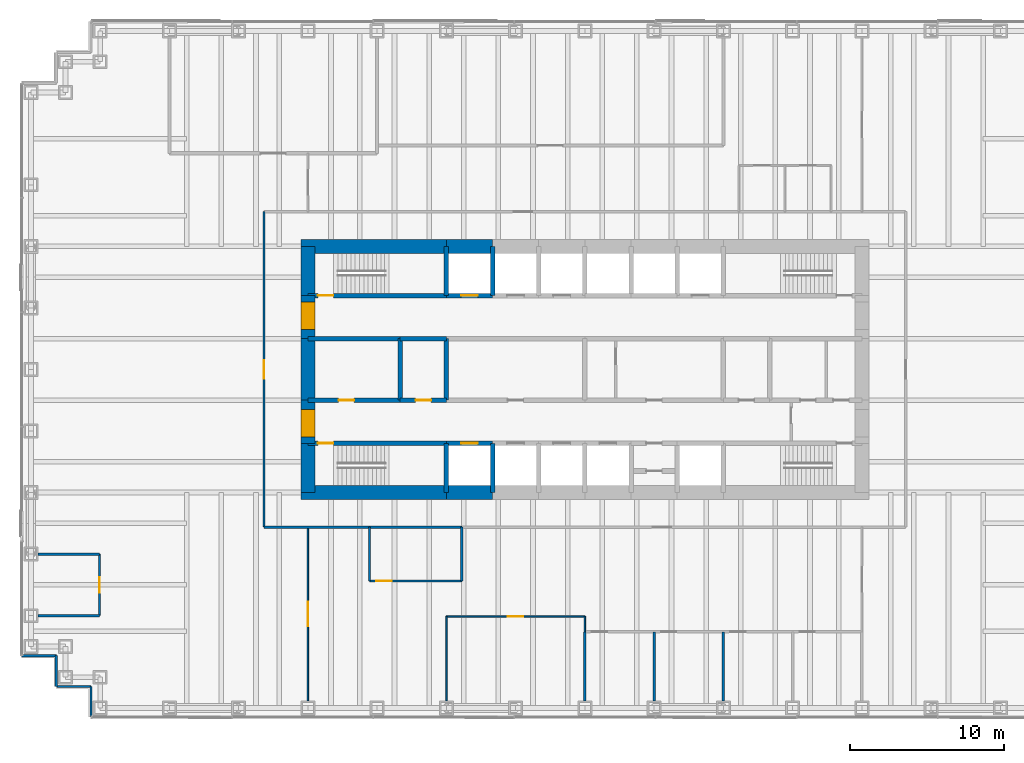
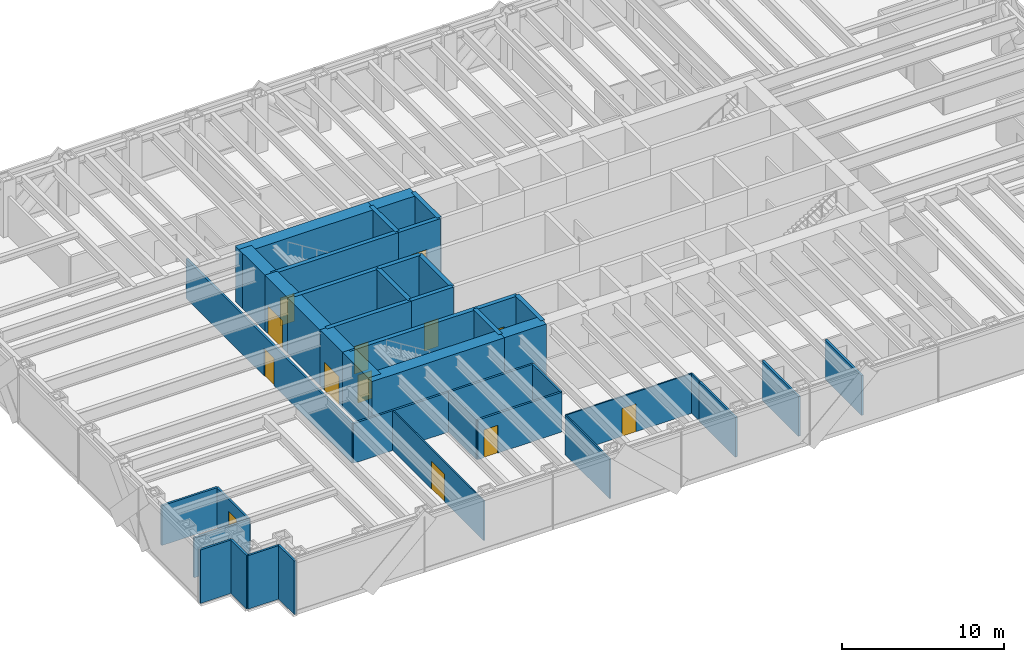
# One storey, part 13 of 17: 43 walls, 13 doors, 13 openings.
"""IFC4 building model written with IfcOpenShell, lengths in metres."""

import ifcopenshell
import ifcopenshell.guid

model = None  # the IFC model being written
_history = None  # IfcOwnerHistory: only IFC2X3 demands one
_inside = {}  # id of a spatial element -> (the spatial element, [elements in it])
_under = {}  # id of a project, library or spatial element -> (it, [spatial elements below it])
_declared = {}  # id of a project -> (the project, [libraries it declares])
_typed = {}  # id of a type object -> (the type object, [elements of that type])
_made_of = {}  # id of a material, layer set ... -> (it, [elements and type objects made of it])


def new_model(schema):
    """Start an empty IFC model of exactly this schema.

    Asked for "IFC4X3", IfcOpenShell would pick the latest addendum, in which some entities
    have other attributes; the version numbers below select the first issue.
    IFC2X3 requires an IfcOwnerHistory on every rooted entity: one is made here for all.
    """
    global model, _history
    if schema == "IFC4X3":
        model = ifcopenshell.file(schema_version=(4, 3, 0, 0))
    else:
        model = ifcopenshell.file(schema=schema)
    _inside.clear()
    _under.clear()
    _declared.clear()
    _typed.clear()
    _made_of.clear()
    _history = None
    if model.schema == "IFC2X3":
        org = make("IfcOrganization", Name="unknown")
        user = make(
            "IfcPersonAndOrganization",
            ThePerson=make("IfcPerson", FamilyName="unknown"),
            TheOrganization=org,
        )
        app = make(
            "IfcApplication",
            ApplicationDeveloper=org,
            Version="unknown",
            ApplicationFullName="unknown",
            ApplicationIdentifier="unknown",
        )
        _history = make(
            "IfcOwnerHistory",
            OwningUser=user,
            OwningApplication=app,
            ChangeAction="ADDED",
            CreationDate=0,
        )
    return model


def make(cls, **values):
    """One entity of the class cls with the attributes given. An attribute that is None is left unset."""
    return model.create_entity(
        cls, **{name: value for name, value in values.items() if value is not None}
    )


def rooted(cls, **values):
    """An entity with a GlobalId (a new one), such as an element, a storey or a relation."""
    return make(cls, GlobalId=ifcopenshell.guid.new(), OwnerHistory=_history, **values)


def si_unit(unit_type, name, prefix=None):
    """IfcSIUnit, for example si_unit("LENGTHUNIT", "METRE", prefix="MILLI")."""
    return make("IfcSIUnit", UnitType=unit_type, Prefix=prefix, Name=name)


def assignment(units):
    """IfcUnitAssignment: the units of a project."""
    return None if units is None else make("IfcUnitAssignment", Units=units)


def point(xyz):
    """IfcCartesianPoint."""
    return None if xyz is None else make("IfcCartesianPoint", Coordinates=xyz)


def direction(xyz):
    """IfcDirection."""
    return None if xyz is None else make("IfcDirection", DirectionRatios=xyz)


def frame(location, z_axis=None, x_axis=None):
    """IfcAxis2Placement3D, a coordinate frame: its origin and axes. An axis left out is left unset."""
    return make(
        "IfcAxis2Placement3D",
        Location=point(location),
        Axis=direction(z_axis),
        RefDirection=direction(x_axis),
    )


def frame_2d(location, x_axis=None):
    """IfcAxis2Placement2D, a coordinate frame in the plane: its origin and x axis."""
    return make(
        "IfcAxis2Placement2D", Location=point(location), RefDirection=direction(x_axis)
    )


def origin():
    """The frame at (0, 0, 0) with its axes left unset."""
    return frame((0.0, 0.0, 0.0))


def place(relative_to, where):
    """IfcLocalPlacement: puts the frame where relative to a parent placement (None: the world)."""
    return make(
        "IfcLocalPlacement", PlacementRelTo=relative_to, RelativePlacement=where
    )


def context(
    kind, dimensions, precision=None, world=None, true_north=None, identifier=None
):
    """IfcGeometricRepresentationContext, for example the 3D "Model" context."""
    return make(
        "IfcGeometricRepresentationContext",
        ContextIdentifier=identifier,
        ContextType=kind,
        CoordinateSpaceDimension=dimensions,
        Precision=precision,
        WorldCoordinateSystem=world,
        TrueNorth=true_north,
    )


def subcontext(parent, identifier, kind, view, scale=None):
    """IfcGeometricRepresentationSubContext, for example "Body" below "Model"."""
    return make(
        "IfcGeometricRepresentationSubContext",
        ContextIdentifier=identifier,
        ContextType=kind,
        ParentContext=parent,
        TargetScale=scale,
        TargetView=view,
    )


def project(units=None, contexts=None):
    """IfcProject with its units and contexts."""
    return rooted(
        "IfcProject",
        Name="project",
        RepresentationContexts=contexts,
        UnitsInContext=assignment(units),
    )


def spatial(cls, under=None, at=None, **own):
    """A site, building, storey or space (cls), placed at a placement, below another one or the project."""
    s = rooted(cls, ObjectPlacement=at, **own)
    if under is not None:
        _under.setdefault(under.id(), (under, []))[1].append(s)
    return s


def profile(cls, at=None, kind="AREA", **sizes):
    """A parametric profile (cls). Its sizes go by their IFC names, for example OverallWidth=200.0."""
    return make(cls, ProfileType=kind, Position=at, **sizes)


def rectangle(**sizes):
    """IfcRectangleProfileDef."""
    return profile("IfcRectangleProfileDef", **sizes)


def extrude(swept, where, along, depth):
    """IfcExtrudedAreaSolid: the profile swept, set in the frame where, extruded along a direction by depth."""
    return make(
        "IfcExtrudedAreaSolid",
        SweptArea=swept,
        Position=where,
        ExtrudedDirection=direction(along),
        Depth=depth,
    )


def shape(context_of_items, identifier, shape_type, items):
    """IfcShapeRepresentation: the items that make up one representation, for example the "Body"."""
    return make(
        "IfcShapeRepresentation",
        ContextOfItems=context_of_items,
        RepresentationIdentifier=identifier,
        RepresentationType=shape_type,
        Items=items,
    )


def material(Name=None, Category=None):
    """IfcMaterial."""
    return make("IfcMaterial", Name=Name, Category=Category)


def layer(
    of_material, thickness, ventilated=None, Name=None, Category=None, Priority=None
):
    """IfcMaterialLayer: one layer of a wall or slab, of a material (None: an air gap)."""
    return make(
        "IfcMaterialLayer",
        Material=of_material,
        LayerThickness=thickness,
        IsVentilated=ventilated,
        Name=Name,
        Category=Category,
        Priority=Priority,
    )


def layer_set(layers, Name=None):
    """IfcMaterialLayerSet."""
    return make("IfcMaterialLayerSet", MaterialLayers=layers, LayerSetName=Name)


def made_of(thing, what):
    """Note that an element or type object is made of a material, layer set ...; save() writes the relation."""
    if what is not None:
        _made_of.setdefault(what.id(), (what, []))[1].append(thing)
    return thing


def type_object(cls, material=None, **own):
    """A type object (cls), such as IfcWallType, which elements share."""
    return made_of(rooted(cls, **own), material)


def element(
    cls,
    number,
    at=None,
    inside=None,
    cuts=None,
    type_object=None,
    material=None,
    context=None,
    identifier="Body",
    shape_type=None,
    held_by="IfcProductDefinitionShape",
    body=None,
    shapes=None,
    **own,
):
    """One element of the class cls, such as IfcWall. Its Tag is "e" and its number.

    at: its placement. inside: the storey or other place that contains it. cuts: it is an
    opening in that element (IfcRelVoidsElement). A single representation is given by context,
    identifier, shape_type and body (its items); several are given by shapes. held_by: the class
    of the entity that holds the representations. save() writes the other relations.
    """
    e = rooted(cls, Tag="e%d" % number, ObjectPlacement=at, **own)
    if body is not None:
        shapes = [shape(context, identifier, shape_type, body)]
    if shapes is not None:
        e.Representation = make(held_by, Representations=shapes)
    if inside is not None:
        _inside.setdefault(inside.id(), (inside, []))[1].append(e)
    if cuts is not None:
        rooted(
            "IfcRelVoidsElement", RelatingBuildingElement=cuts, RelatedOpeningElement=e
        )
    if type_object is not None:
        _typed.setdefault(type_object.id(), (type_object, []))[1].append(e)
    return made_of(e, material)


def fill(opening, filler):
    """IfcRelFillsElement: the door or window that sits in an opening."""
    return rooted(
        "IfcRelFillsElement",
        RelatingOpeningElement=opening,
        RelatedBuildingElement=filler,
    )


def aggregate(whole, parts):
    """IfcRelAggregates: a whole, such as a stair, and the parts it consists of."""
    return rooted("IfcRelAggregates", RelatingObject=whole, RelatedObjects=parts)


def save(model, path):
    """Write the relations noted so far, then the file.

    IfcRelAggregates (storeys below a building ...), IfcRelContainedInSpatialStructure (elements
    in a storey), IfcRelDefinesByType, IfcRelAssociatesMaterial and IfcRelDeclares: one each for
    every whole, place, type object, material and project.
    """
    for whole, parts in _under.values():
        aggregate(whole, parts)
    for where, things in _inside.values():
        rooted(
            "IfcRelContainedInSpatialStructure",
            RelatedElements=things,
            RelatingStructure=where,
        )
    for kind, things in _typed.values():
        rooted("IfcRelDefinesByType", RelatedObjects=things, RelatingType=kind)
    for what, things in _made_of.values():
        rooted("IfcRelAssociatesMaterial", RelatedObjects=things, RelatingMaterial=what)
    for by, libraries in _declared.values():
        rooted("IfcRelDeclares", RelatingContext=by, RelatedDefinitions=libraries)
    model.write(path)


model = new_model("IFC4")

# Units and contexts
model_context = context("Model", 3, precision=1e-05, world=origin(), true_north=direction((0.0, 1.0)))
body_context = subcontext(model_context, "Body", "Model", "MODEL_VIEW")
ifc_project = project(units=[si_unit("LENGTHUNIT", "METRE"), si_unit("AREAUNIT", "SQUARE_METRE"), si_unit("VOLUMEUNIT", "CUBIC_METRE"), si_unit("PLANEANGLEUNIT", "RADIAN"), si_unit("MASSUNIT", "GRAM", prefix="KILO")], contexts=[model_context])

# Site, building, storey
site_placement = place(None, origin())
site = spatial("IfcSite", under=ifc_project, at=site_placement, CompositionType="ELEMENT")
building_placement = place(site_placement, origin())
building = spatial("IfcBuilding", under=site, at=building_placement, Name="Rheinbord Bourse Tower", CompositionType="ELEMENT")
storey_placement = place(building_placement, frame((0.0, 0.0, 129.89990234375)))
storey = spatial("IfcBuildingStorey", under=building, at=storey_placement, Name="L28", CompositionType="ELEMENT", Elevation=129.89990234375)

# Wall, opening, door
ifc_material_1 = material(Name="Concrete C50/60", Category="concrete")
ifc_layer_1 = layer(ifc_material_1, 0.300048828125)
ifc_layer_set_1 = layer_set([ifc_layer_1], Name="CORE INNER WALL 300")
wall_type_1 = type_object("IfcWallType", Name="CORE INNER WALL 300", PredefinedType="SOLIDWALL", material=ifc_layer_set_1)
wall_1_placement = place(storey_placement, frame((18.0, 19.199951171875, 0.0), z_axis=(0.0, 0.0, 1.0), x_axis=(1.0, 0.0, 0.0)))
wall_1 = element("IfcWall", 1, at=wall_1_placement, inside=storey, type_object=wall_type_1, Name="Core wall A1 L28", PredefinedType="SOLIDWALL", context=body_context, shape_type="SweptSolid", body=[
    extrude(rectangle(XDim=9.0, YDim=0.300048828125, at=frame_2d((4.5, 0.0))), origin(), (0.0, 0.0, 1.0), 4.2001953125),
])
opening_1_placement = place(wall_1_placement, frame((0.64990234375, 0.0, 0.0)))
opening_1 = element("IfcOpeningElement", 2, at=opening_1_placement, cuts=wall_1, Name="Opening 2810", PredefinedType="OPENING", context=body_context, shape_type="SweptSolid", body=[
    extrude(rectangle(XDim=1.0, YDim=2.10009765625, at=frame_2d((0.5, 1.050048828125))), frame((0.0, 0.159912109375, 0.0), z_axis=(0.0, -1.0, 0.0), x_axis=(1.0, 0.0, 0.0)), (0.0, 0.0, 1.0), 0.320068359375),
])
ifc_material_2 = material(Name="Steel door", Category="steel")
door_type_1 = type_object("IfcDoorType", Name="DOOR 1000 EI30", OperationType="SINGLE_SWING_LEFT", PredefinedType="DOOR", material=ifc_material_2)
door_1_placement = place(opening_1_placement, origin())
door_1 = element("IfcDoor", 3, at=door_1_placement, inside=storey, type_object=door_type_1, Name="Stair door ST1 L28", OperationType="SINGLE_SWING_LEFT", OverallHeight=2.10009765625, OverallWidth=1.0, PredefinedType="DOOR", context=body_context, shape_type="SweptSolid", body=[
    extrude(rectangle(XDim=1.0, YDim=2.10009765625, at=frame_2d((0.5, 1.050048828125))), frame((0.0, 0.02490234375, 0.0), z_axis=(0.0, -1.0, 0.0), x_axis=(1.0, 0.0, 0.0)), (0.0, 0.0, 1.0), 0.050048828125),
])
fill(opening_1, door_1)

wall_2_placement = place(storey_placement, frame((27.0, 19.199951171875, 0.0), z_axis=(0.0, 0.0, 1.0), x_axis=(1.0, 0.0, 0.0)))
wall_2 = element("IfcWall", 4, at=wall_2_placement, inside=storey, type_object=wall_type_1, Name="Core wall A2 L28", PredefinedType="SOLIDWALL", context=body_context, shape_type="SweptSolid", body=[
    extrude(rectangle(XDim=3.0, YDim=0.300048828125, at=frame_2d((1.5, 0.0))), origin(), (0.0, 0.0, 1.0), 4.2001953125),
])
opening_2_placement = place(wall_2_placement, frame((0.949951171875, 0.0, 0.0)))
opening_2 = element("IfcOpeningElement", 5, at=opening_2_placement, cuts=wall_2, Name="Opening FL1", PredefinedType="OPENING", context=body_context, shape_type="SweptSolid", body=[
    extrude(rectangle(XDim=1.10009765625, YDim=2.199951171875, at=frame_2d((0.550048828125, 1.10009765625))), frame((0.0, 0.159912109375, 0.0), z_axis=(0.0, -1.0, 0.0), x_axis=(1.0, 0.0, 0.0)), (0.0, 0.0, 1.0), 0.320068359375),
])
ifc_material_3 = material(Name="Steel landing door", Category="steel")
door_type_2 = type_object("IfcDoorType", Name="LIFT LANDING DOOR 1100", OperationType="DOUBLE_DOOR_SLIDING", PredefinedType="USERDEFINED", material=ifc_material_3)
door_2_placement = place(opening_2_placement, origin())
door_2 = element("IfcDoor", 6, at=door_2_placement, inside=storey, type_object=door_type_2, Name="Lift landing door FL1 L28", ObjectType="LIFT LANDING DOOR", OperationType="DOUBLE_DOOR_SLIDING", OverallHeight=2.199951171875, OverallWidth=1.10009765625, PredefinedType="USERDEFINED", context=body_context, shape_type="SweptSolid", body=[
    extrude(rectangle(XDim=1.10009765625, YDim=2.199951171875, at=frame_2d((0.550048828125, 1.10009765625))), frame((0.0, 0.02490234375, 0.0), z_axis=(0.0, -1.0, 0.0), x_axis=(1.0, 0.0, 0.0)), (0.0, 0.0, 1.0), 0.050048828125),
])
fill(opening_2, door_2)

wall_3_placement = place(storey_placement, frame((18.0, 28.800048828125, 0.0), z_axis=(0.0, 0.0, 1.0), x_axis=(1.0, 0.0, 0.0)))
wall_3 = element("IfcWall", 7, at=wall_3_placement, inside=storey, type_object=wall_type_1, Name="Core wall B1 L28", PredefinedType="SOLIDWALL", context=body_context, shape_type="SweptSolid", body=[
    extrude(rectangle(XDim=9.0, YDim=0.300048828125, at=frame_2d((4.5, 0.0))), origin(), (0.0, 0.0, 1.0), 4.2001953125),
])
opening_3_placement = place(wall_3_placement, frame((0.64990234375, 0.0, 0.0)))
opening_3 = element("IfcOpeningElement", 8, at=opening_3_placement, cuts=wall_3, Name="Opening 2820", PredefinedType="OPENING", context=body_context, shape_type="SweptSolid", body=[
    extrude(rectangle(XDim=1.0, YDim=2.10009765625, at=frame_2d((0.5, 1.050048828125))), frame((0.0, 0.159912109375, 0.0), z_axis=(0.0, -1.0, 0.0), x_axis=(1.0, 0.0, 0.0)), (0.0, 0.0, 1.0), 0.320068359375),
])
door_3_placement = place(opening_3_placement, origin())
door_3 = element("IfcDoor", 9, at=door_3_placement, inside=storey, type_object=door_type_1, Name="Stair door ST2 L28", OperationType="SINGLE_SWING_LEFT", OverallHeight=2.10009765625, OverallWidth=1.0, PredefinedType="DOOR", context=body_context, shape_type="SweptSolid", body=[
    extrude(rectangle(XDim=1.0, YDim=2.10009765625, at=frame_2d((0.5, 1.050048828125))), frame((0.0, 0.02490234375, 0.0), z_axis=(0.0, -1.0, 0.0), x_axis=(1.0, 0.0, 0.0)), (0.0, 0.0, 1.0), 0.050048828125),
])
fill(opening_3, door_3)

wall_4_placement = place(storey_placement, frame((27.0, 28.800048828125, 0.0), z_axis=(0.0, 0.0, 1.0), x_axis=(1.0, 0.0, 0.0)))
wall_4 = element("IfcWall", 10, at=wall_4_placement, inside=storey, type_object=wall_type_1, Name="Core wall B2 L28", PredefinedType="SOLIDWALL", context=body_context, shape_type="SweptSolid", body=[
    extrude(rectangle(XDim=3.0, YDim=0.300048828125, at=frame_2d((1.5, 0.0))), origin(), (0.0, 0.0, 1.0), 4.2001953125),
])
opening_4_placement = place(wall_4_placement, frame((0.949951171875, 0.0, 0.0)))
opening_4 = element("IfcOpeningElement", 11, at=opening_4_placement, cuts=wall_4, Name="Opening GL1", PredefinedType="OPENING", context=body_context, shape_type="SweptSolid", body=[
    extrude(rectangle(XDim=1.10009765625, YDim=2.199951171875, at=frame_2d((0.550048828125, 1.10009765625))), frame((0.0, 0.159912109375, 0.0), z_axis=(0.0, -1.0, 0.0), x_axis=(1.0, 0.0, 0.0)), (0.0, 0.0, 1.0), 0.320068359375),
])
door_4_placement = place(opening_4_placement, origin())
door_4 = element("IfcDoor", 12, at=door_4_placement, inside=storey, type_object=door_type_2, Name="Lift landing door GL1 L28", ObjectType="LIFT LANDING DOOR", OperationType="DOUBLE_DOOR_SLIDING", OverallHeight=2.199951171875, OverallWidth=1.10009765625, PredefinedType="USERDEFINED", context=body_context, shape_type="SweptSolid", body=[
    extrude(rectangle(XDim=1.10009765625, YDim=2.199951171875, at=frame_2d((0.550048828125, 1.10009765625))), frame((0.0, 0.02490234375, 0.0), z_axis=(0.0, -1.0, 0.0), x_axis=(1.0, 0.0, 0.0)), (0.0, 0.0, 1.0), 0.050048828125),
])
fill(opening_4, door_4)

wall_5_placement = place(storey_placement, frame((18.0, 22.0, 0.0), z_axis=(0.0, 0.0, 1.0), x_axis=(1.0, 0.0, 0.0)))
wall_5 = element("IfcWall", 13, at=wall_5_placement, inside=storey, type_object=wall_type_1, Name="Core wall C1 L28", PredefinedType="SOLIDWALL", context=body_context, shape_type="SweptSolid", body=[
    extrude(rectangle(XDim=6.0, YDim=0.300048828125, at=frame_2d((3.0, 0.0))), origin(), (0.0, 0.0, 1.0), 4.2001953125),
])
opening_5_placement = place(wall_5_placement, frame((2.0, 0.0, 0.0)))
opening_5 = element("IfcOpeningElement", 14, at=opening_5_placement, cuts=wall_5, Name="Opening 28R1", PredefinedType="OPENING", context=body_context, shape_type="SweptSolid", body=[
    extrude(rectangle(XDim=1.0, YDim=2.10009765625, at=frame_2d((0.5, 1.050048828125))), frame((0.0, 0.159912109375, 0.0), z_axis=(0.0, -1.0, 0.0), x_axis=(1.0, 0.0, 0.0)), (0.0, 0.0, 1.0), 0.320068359375),
])
ifc_material_4 = material(Name="Timber door", Category="wood")
door_type_3 = type_object("IfcDoorType", Name="DOOR 1000 WC", OperationType="SINGLE_SWING_LEFT", PredefinedType="DOOR", material=ifc_material_4)
door_5_placement = place(opening_5_placement, origin())
door_5 = element("IfcDoor", 15, at=door_5_placement, inside=storey, type_object=door_type_3, Name="WC men door L28", OperationType="SINGLE_SWING_LEFT", OverallHeight=2.10009765625, OverallWidth=1.0, PredefinedType="DOOR", context=body_context, shape_type="SweptSolid", body=[
    extrude(rectangle(XDim=1.0, YDim=2.10009765625, at=frame_2d((0.5, 1.050048828125))), frame((0.0, 0.02490234375, 0.0), z_axis=(0.0, -1.0, 0.0), x_axis=(1.0, 0.0, 0.0)), (0.0, 0.0, 1.0), 0.050048828125),
])
fill(opening_5, door_5)

wall_6_placement = place(storey_placement, frame((24.0, 22.0, 0.0), z_axis=(0.0, 0.0, 1.0), x_axis=(1.0, 0.0, 0.0)))
wall_6 = element("IfcWall", 16, at=wall_6_placement, inside=storey, type_object=wall_type_1, Name="Core wall C2 L28", PredefinedType="SOLIDWALL", context=body_context, shape_type="SweptSolid", body=[
    extrude(rectangle(XDim=3.0, YDim=0.300048828125, at=frame_2d((1.5, 0.0))), origin(), (0.0, 0.0, 1.0), 4.2001953125),
])
opening_6_placement = place(wall_6_placement, frame((1.0, 0.0, 0.0)))
opening_6 = element("IfcOpeningElement", 17, at=opening_6_placement, cuts=wall_6, Name="Opening 28R2", PredefinedType="OPENING", context=body_context, shape_type="SweptSolid", body=[
    extrude(rectangle(XDim=1.0, YDim=2.10009765625, at=frame_2d((0.5, 1.050048828125))), frame((0.0, 0.159912109375, 0.0), z_axis=(0.0, -1.0, 0.0), x_axis=(1.0, 0.0, 0.0)), (0.0, 0.0, 1.0), 0.320068359375),
])
door_6_placement = place(opening_6_placement, origin())
door_6 = element("IfcDoor", 18, at=door_6_placement, inside=storey, type_object=door_type_1, Name="First aid room door L28", OperationType="SINGLE_SWING_LEFT", OverallHeight=2.10009765625, OverallWidth=1.0, PredefinedType="DOOR", context=body_context, shape_type="SweptSolid", body=[
    extrude(rectangle(XDim=1.0, YDim=2.10009765625, at=frame_2d((0.5, 1.050048828125))), frame((0.0, 0.02490234375, 0.0), z_axis=(0.0, -1.0, 0.0), x_axis=(1.0, 0.0, 0.0)), (0.0, 0.0, 1.0), 0.050048828125),
])
fill(opening_6, door_6)

# Walls
wall_7_placement = place(storey_placement, frame((18.0, 26.0, 0.0), z_axis=(0.0, 0.0, 1.0), x_axis=(1.0, 0.0, 0.0)))
element("IfcWall", 19, at=wall_7_placement, inside=storey, type_object=wall_type_1, Name="Core wall D1 L28", PredefinedType="SOLIDWALL", context=body_context, shape_type="SweptSolid", body=[
    extrude(rectangle(XDim=6.0, YDim=0.300048828125, at=frame_2d((3.0, 0.0))), origin(), (0.0, 0.0, 1.0), 4.2001953125),
])
wall_8_placement = place(storey_placement, frame((24.0, 26.0, 0.0), z_axis=(0.0, 0.0, 1.0), x_axis=(1.0, 0.0, 0.0)))
element("IfcWall", 20, at=wall_8_placement, inside=storey, type_object=wall_type_1, Name="Core wall D2 L28", PredefinedType="SOLIDWALL", context=body_context, shape_type="SweptSolid", body=[
    extrude(rectangle(XDim=3.0, YDim=0.300048828125, at=frame_2d((1.5, 0.0))), origin(), (0.0, 0.0, 1.0), 4.2001953125),
])
for number, where, z_axis, x_axis, name in (
    (21, (27.0, 16.0, 0.0), (0.0, 0.0, 1.0), (0.0, 1.0, 0.0), "Core wall SX27 L28"),
    (22, (27.0, 28.800048828125, 0.0), (0.0, 0.0, 1.0), (0.0, 1.0, 0.0), "Core wall NX27 L28"),
    (23, (30.0, 16.0, 0.0), (0.0, 0.0, 1.0), (0.0, 1.0, 0.0), "Core wall SX30 L28"),
    (24, (30.0, 28.800048828125, 0.0), (0.0, 0.0, 1.0), (0.0, 1.0, 0.0), "Core wall NX30 L28"),
):
    element("IfcWall", number, at=place(storey_placement, frame(where, z_axis=z_axis, x_axis=x_axis)), inside=storey, type_object=wall_type_1, Name=name, PredefinedType="SOLIDWALL", context=body_context, shape_type="SweptSolid", body=[
        extrude(rectangle(XDim=3.199951171875, YDim=0.300048828125, at=frame_2d((1.60009765625, 0.0))), origin(), (0.0, 0.0, 1.0), 4.2001953125),
    ])
for number, where, z_axis, x_axis, name in (
    (25, (24.0, 22.0, 0.0), (0.0, 0.0, 1.0), (0.0, 1.0, 0.0), "Core wall MX24 L28"),
    (26, (27.0, 22.0, 0.0), (0.0, 0.0, 1.0), (0.0, 1.0, 0.0), "Core wall MX27 L28"),
):
    element("IfcWall", number, at=place(storey_placement, frame(where, z_axis=z_axis, x_axis=x_axis)), inside=storey, type_object=wall_type_1, Name=name, PredefinedType="SOLIDWALL", context=body_context, shape_type="SweptSolid", body=[
        extrude(rectangle(XDim=4.0, YDim=0.300048828125, at=frame_2d((2.0, 0.0))), origin(), (0.0, 0.0, 1.0), 4.2001953125),
    ])
ifc_material_5 = material(Name="Concrete C50/60", Category="concrete")
ifc_layer_2 = layer(ifc_material_5, 0.89990234375)
ifc_layer_set_2 = layer_set([ifc_layer_2], Name="CORE WALL 900")
wall_type_2 = type_object("IfcWallType", Name="CORE WALL 900", PredefinedType="SHEAR", material=ifc_layer_set_2)
wall_9_placement = place(storey_placement, frame((17.550048828125, 16.0, 0.0), z_axis=(0.0, 0.0, 1.0), x_axis=(1.0, 0.0, 0.0)))
element("IfcWall", 27, at=wall_9_placement, inside=storey, type_object=wall_type_2, Name="Core wall S1 L28", PredefinedType="SHEAR", context=body_context, shape_type="SweptSolid", body=[
    extrude(rectangle(XDim=9.449951171875, YDim=0.89990234375, at=frame_2d((4.72509765625, 0.0))), origin(), (0.0, 0.0, 1.0), 4.2001953125),
])
for number, where, z_axis, x_axis, name in (
    (28, (27.0, 16.0, 0.0), (0.0, 0.0, 1.0), (1.0, 0.0, 0.0), "Core wall S2 L28"),
    (29, (30.0, 32.0, 0.0), (0.0, 0.0, 1.0), (-1.0, 0.0, 0.0), "Core wall N7 L28"),
):
    element("IfcWall", number, at=place(storey_placement, frame(where, z_axis=z_axis, x_axis=x_axis)), inside=storey, type_object=wall_type_2, Name=name, PredefinedType="SHEAR", context=body_context, shape_type="SweptSolid", body=[
        extrude(rectangle(XDim=3.0, YDim=0.89990234375, at=frame_2d((1.5, 0.0))), origin(), (0.0, 0.0, 1.0), 4.2001953125),
    ])
wall_10_placement = place(storey_placement, frame((27.0, 32.0, 0.0), z_axis=(0.0, 0.0, 1.0), x_axis=(-1.0, 0.0, 0.0)))
element("IfcWall", 30, at=wall_10_placement, inside=storey, type_object=wall_type_2, Name="Core wall N8 L28", PredefinedType="SHEAR", context=body_context, shape_type="SweptSolid", body=[
    extrude(rectangle(XDim=9.449951171875, YDim=0.89990234375, at=frame_2d((4.72509765625, 0.0))), origin(), (0.0, 0.0, 1.0), 4.2001953125),
])
wall_11_placement = place(storey_placement, frame((18.0, 32.0, 0.0), z_axis=(0.0, 0.0, 1.0), x_axis=(0.0, -1.0, 0.0)))
element("IfcWall", 31, at=wall_11_placement, inside=storey, type_object=wall_type_2, Name="Core wall W1 L28", PredefinedType="SHEAR", context=body_context, shape_type="SweptSolid", body=[
    extrude(rectangle(XDim=3.199951171875, YDim=0.89990234375, at=frame_2d((1.60009765625, 0.0))), origin(), (0.0, 0.0, 1.0), 4.2001953125),
])

# Wall, opening, door
wall_12_placement = place(storey_placement, frame((18.0, 28.800048828125, 0.0), z_axis=(0.0, 0.0, 1.0), x_axis=(0.0, -1.0, 0.0)))
wall_12 = element("IfcWall", 32, at=wall_12_placement, inside=storey, type_object=wall_type_2, Name="Core wall W2 L28", PredefinedType="SHEAR", context=body_context, shape_type="SweptSolid", body=[
    extrude(rectangle(XDim=2.800048828125, YDim=0.89990234375, at=frame_2d((1.39990234375, 0.0))), origin(), (0.0, 0.0, 1.0), 4.2001953125),
])
opening_7_placement = place(wall_12_placement, frame((0.39990234375, 0.0, 0.0)))
opening_7 = element("IfcOpeningElement", 33, at=opening_7_placement, cuts=wall_12, Name="Opening 28L2", PredefinedType="OPENING", context=body_context, shape_type="SweptSolid", body=[
    extrude(rectangle(XDim=1.800048828125, YDim=2.10009765625, at=frame_2d((0.89990234375, 1.050048828125))), frame((0.0, 0.4599609375, 0.0), z_axis=(0.0, -1.0, 0.0), x_axis=(1.0, 0.0, 0.0)), (0.0, 0.0, 1.0), 0.919921875),
])
ifc_material_6 = material(Name="Steel door", Category="steel")
door_type_4 = type_object("IfcDoorType", Name="DOOR 1800 EI30 DOUBLE", OperationType="DOUBLE_DOOR_DOUBLE_SWING", PredefinedType="DOOR", material=ifc_material_6)
door_7_placement = place(opening_7_placement, origin())
door_7 = element("IfcDoor", 34, at=door_7_placement, inside=storey, type_object=door_type_4, Name="Lobby door 2 L28", OperationType="SINGLE_SWING_LEFT", OverallHeight=2.10009765625, OverallWidth=1.800048828125, PredefinedType="DOOR", context=body_context, shape_type="SweptSolid", body=[
    extrude(rectangle(XDim=1.800048828125, YDim=2.10009765625, at=frame_2d((0.89990234375, 1.050048828125))), frame((0.0, 0.44970703125, 0.0), z_axis=(0.0, -1.0, 0.0), x_axis=(1.0, 0.0, 0.0)), (0.0, 0.0, 1.0), 0.8994140625),
])
fill(opening_7, door_7)

# Wall
wall_13_placement = place(storey_placement, frame((18.0, 26.0, 0.0), z_axis=(0.0, 0.0, 1.0), x_axis=(0.0, -1.0, 0.0)))
element("IfcWall", 35, at=wall_13_placement, inside=storey, type_object=wall_type_2, Name="Core wall W3 L28", PredefinedType="SHEAR", context=body_context, shape_type="SweptSolid", body=[
    extrude(rectangle(XDim=4.0, YDim=0.89990234375, at=frame_2d((2.0, 0.0))), origin(), (0.0, 0.0, 1.0), 4.2001953125),
])

# Wall, opening, door
wall_14_placement = place(storey_placement, frame((18.0, 22.0, 0.0), z_axis=(0.0, 0.0, 1.0), x_axis=(0.0, -1.0, 0.0)))
wall_14 = element("IfcWall", 36, at=wall_14_placement, inside=storey, type_object=wall_type_2, Name="Core wall W4 L28", PredefinedType="SHEAR", context=body_context, shape_type="SweptSolid", body=[
    extrude(rectangle(XDim=2.800048828125, YDim=0.89990234375, at=frame_2d((1.39990234375, 0.0))), origin(), (0.0, 0.0, 1.0), 4.2001953125),
])
opening_8_placement = place(wall_14_placement, frame((0.60009765625, 0.0, 0.0)))
opening_8 = element("IfcOpeningElement", 37, at=opening_8_placement, cuts=wall_14, Name="Opening 28L1", PredefinedType="OPENING", context=body_context, shape_type="SweptSolid", body=[
    extrude(rectangle(XDim=1.800048828125, YDim=2.10009765625, at=frame_2d((0.89990234375, 1.050048828125))), frame((0.0, 0.4599609375, 0.0), z_axis=(0.0, -1.0, 0.0), x_axis=(1.0, 0.0, 0.0)), (0.0, 0.0, 1.0), 0.919921875),
])
door_8_placement = place(opening_8_placement, origin())
door_8 = element("IfcDoor", 38, at=door_8_placement, inside=storey, type_object=door_type_4, Name="Lobby door 1 L28", OperationType="SINGLE_SWING_LEFT", OverallHeight=2.10009765625, OverallWidth=1.800048828125, PredefinedType="DOOR", context=body_context, shape_type="SweptSolid", body=[
    extrude(rectangle(XDim=1.800048828125, YDim=2.10009765625, at=frame_2d((0.89990234375, 1.050048828125))), frame((0.0, 0.44970703125, 0.0), z_axis=(0.0, -1.0, 0.0), x_axis=(1.0, 0.0, 0.0)), (0.0, 0.0, 1.0), 0.8994140625),
])
fill(opening_8, door_8)

# Walls
wall_15_placement = place(storey_placement, frame((18.0, 19.199951171875, 0.0), z_axis=(0.0, 0.0, 1.0), x_axis=(0.0, -1.0, 0.0)))
element("IfcWall", 39, at=wall_15_placement, inside=storey, type_object=wall_type_2, Name="Core wall W5 L28", PredefinedType="SHEAR", context=body_context, shape_type="SweptSolid", body=[
    extrude(rectangle(XDim=3.199951171875, YDim=0.89990234375, at=frame_2d((1.60009765625, 0.0))), origin(), (0.0, 0.0, 1.0), 4.2001953125),
])
ifc_material_7 = material(Name="Black metal rainscreen panel", Category="aluminium")
ifc_layer_3 = layer(ifc_material_7, 0.14990234375)
ifc_layer_set_3 = layer_set([ifc_layer_3], Name="CORNER PIER CLADDING 150")
wall_type_3 = type_object("IfcWallType", Name="CORNER PIER CLADDING 150", PredefinedType="ELEMENTEDWALL", material=ifc_layer_set_3)
wall_16_placement = place(storey_placement, frame((-0.60009765625, 5.39990234375, 0.0), z_axis=(0.0, 0.0, 1.0), x_axis=(1.0, 0.0, 0.0)))
element("IfcWall", 40, at=wall_16_placement, inside=storey, type_object=wall_type_3, Name="Corner pier cladding L28 17", PredefinedType="ELEMENTEDWALL", context=body_context, shape_type="SweptSolid", body=[
    extrude(rectangle(XDim=2.25, YDim=0.14990234375, at=frame_2d((1.125, 0.0))), origin(), (0.0, 0.0, 1.0), 4.0400390625),
])
wall_17_placement = place(storey_placement, frame((1.64990234375, 5.39990234375, 0.0), z_axis=(0.0, 0.0, 1.0), x_axis=(0.0, -1.0, 0.0)))
element("IfcWall", 41, at=wall_17_placement, inside=storey, type_object=wall_type_3, Name="Corner pier cladding L28 18", PredefinedType="ELEMENTEDWALL", context=body_context, shape_type="SweptSolid", body=[
    extrude(rectangle(XDim=2.0, YDim=0.14990234375, at=frame_2d((1.0, 0.0))), origin(), (0.0, 0.0, 1.0), 4.0400390625),
])
wall_18_placement = place(storey_placement, frame((1.64990234375, 3.39990234375, 0.0), z_axis=(0.0, 0.0, 1.0), x_axis=(1.0, 0.0, 0.0)))
element("IfcWall", 42, at=wall_18_placement, inside=storey, type_object=wall_type_3, Name="Corner pier cladding L28 19", PredefinedType="ELEMENTEDWALL", context=body_context, shape_type="SweptSolid", body=[
    extrude(rectangle(XDim=2.25, YDim=0.14990234375, at=frame_2d((1.125, 0.0))), origin(), (0.0, 0.0, 1.0), 4.0400390625),
])
wall_19_placement = place(storey_placement, frame((3.89990234375, 3.39990234375, 0.0), z_axis=(0.0, 0.0, 1.0), x_axis=(0.0, -1.0, 0.0)))
element("IfcWall", 43, at=wall_19_placement, inside=storey, type_object=wall_type_3, Name="Corner pier cladding L28 20", PredefinedType="ELEMENTEDWALL", context=body_context, shape_type="SweptSolid", body=[
    extrude(rectangle(XDim=2.0, YDim=0.14990234375, at=frame_2d((1.0, 0.0))), origin(), (0.0, 0.0, 1.0), 4.0400390625),
])
ifc_material_8 = material(Name="Gypsum board corridor partition", Category="gypsum board")
ifc_layer_4 = layer(ifc_material_8, 0.14990234375)
ifc_layer_set_4 = layer_set([ifc_layer_4], Name="CORRIDOR PARTITION 150 EI30")
wall_type_4 = type_object("IfcWallType", Name="CORRIDOR PARTITION 150 EI30", PredefinedType="PARTITIONING", material=ifc_layer_set_4)
wall_20_placement = place(storey_placement, frame((15.14990234375, 13.75, 0.0), z_axis=(0.0, 0.0, 1.0), x_axis=(1.0, 0.0, 0.0)))
element("IfcWall", 44, at=wall_20_placement, inside=storey, type_object=wall_type_4, Name="Partition L28-08", PredefinedType="PARTITIONING", context=body_context, shape_type="SweptSolid", body=[
    extrude(rectangle(XDim=6.85009765625, YDim=0.14990234375, at=frame_2d((3.425048828125, 0.0))), origin(), (0.0, 0.0, 1.0), 3.0),
])

# Wall, opening, door
wall_21_placement = place(storey_placement, frame((15.14990234375, 13.75, 0.0), z_axis=(0.0, 0.0, 1.0), x_axis=(0.0, 1.0, 0.0)))
wall_21 = element("IfcWall", 45, at=wall_21_placement, inside=storey, type_object=wall_type_4, Name="Partition L28-22", PredefinedType="PARTITIONING", context=body_context, shape_type="SweptSolid", body=[
    extrude(rectangle(XDim=20.5, YDim=0.14990234375, at=frame_2d((10.25, 0.0))), origin(), (0.0, 0.0, 1.0), 3.0),
])
opening_9_placement = place(wall_21_placement, frame((9.64990234375, 0.0, 0.0)))
opening_9 = element("IfcOpeningElement", 46, at=opening_9_placement, cuts=wall_21, Name="Opening 28D21", PredefinedType="OPENING", context=body_context, shape_type="SweptSolid", body=[
    extrude(rectangle(XDim=1.199951171875, YDim=2.10009765625, at=frame_2d((0.60009765625, 1.050048828125))), frame((0.0, 0.0849609375, 0.0), z_axis=(0.0, -1.0, 0.0), x_axis=(1.0, 0.0, 0.0)), (0.0, 0.0, 1.0), 0.169921875),
])
ifc_material_9 = material(Name="Timber fire door", Category="wood")
door_type_5 = type_object("IfcDoorType", Name="SUITE ENTRANCE DOOR 1200 EI30", OperationType="SINGLE_SWING_LEFT", PredefinedType="DOOR", material=ifc_material_9)
door_9_placement = place(opening_9_placement, origin())
door_9 = element("IfcDoor", 47, at=door_9_placement, inside=storey, type_object=door_type_5, Name="Suite entrance 1 door L28", OperationType="SINGLE_SWING_LEFT", OverallHeight=2.10009765625, OverallWidth=1.199951171875, PredefinedType="DOOR", context=body_context, shape_type="SweptSolid", body=[
    extrude(rectangle(XDim=1.199951171875, YDim=2.10009765625, at=frame_2d((0.60009765625, 1.050048828125))), frame((0.0, 0.02490234375, 0.0), z_axis=(0.0, -1.0, 0.0), x_axis=(1.0, 0.0, 0.0)), (0.0, 0.0, 1.0), 0.050048828125),
])
fill(opening_9, door_9)

ifc_material_10 = material(Name="Gypsum board fire partition", Category="gypsum board")
ifc_layer_5 = layer(ifc_material_10, 0.14990234375)
ifc_layer_set_5 = layer_set([ifc_layer_5], Name="FIRE PARTITION 150 EI60")
wall_type_5 = type_object("IfcWallType", Name="FIRE PARTITION 150 EI60", PredefinedType="PARTITIONING", material=ifc_layer_set_5)
wall_22_placement = place(storey_placement, frame((22.0, 10.25, 0.0), z_axis=(0.0, 0.0, 1.0), x_axis=(1.0, 0.0, 0.0)))
wall_22 = element("IfcWall", 48, at=wall_22_placement, inside=storey, type_object=wall_type_5, Name="Partition L28-05", PredefinedType="PARTITIONING", context=body_context, shape_type="SweptSolid", body=[
    extrude(rectangle(XDim=6.0, YDim=0.14990234375, at=frame_2d((3.0, 0.0))), origin(), (0.0, 0.0, 1.0), 3.0),
])
opening_10_placement = place(wall_22_placement, frame((0.449951171875, 0.0, 0.0)))
opening_10 = element("IfcOpeningElement", 49, at=opening_10_placement, cuts=wall_22, Name="Opening 28D08", PredefinedType="OPENING", context=body_context, shape_type="SweptSolid", body=[
    extrude(rectangle(XDim=1.0, YDim=2.10009765625, at=frame_2d((0.5, 1.050048828125))), frame((0.0, 0.0849609375, 0.0), z_axis=(0.0, -1.0, 0.0), x_axis=(1.0, 0.0, 0.0)), (0.0, 0.0, 1.0), 0.169921875),
])
ifc_material_11 = material(Name="Timber fire door", Category="wood")
door_type_6 = type_object("IfcDoorType", Name="FIRE DOOR 1000 EI60", OperationType="SINGLE_SWING_LEFT", PredefinedType="DOOR", material=ifc_material_11)
door_10_placement = place(opening_10_placement, origin())
door_10 = element("IfcDoor", 50, at=door_10_placement, inside=storey, type_object=door_type_6, Name="Comms room door L28", OperationType="SINGLE_SWING_LEFT", OverallHeight=2.10009765625, OverallWidth=1.0, PredefinedType="DOOR", context=body_context, shape_type="SweptSolid", body=[
    extrude(rectangle(XDim=1.0, YDim=2.10009765625, at=frame_2d((0.5, 1.050048828125))), frame((0.0, 0.02490234375, 0.0), z_axis=(0.0, -1.0, 0.0), x_axis=(1.0, 0.0, 0.0)), (0.0, 0.0, 1.0), 0.050048828125),
])
fill(opening_10, door_10)

# Walls
wall_23_placement = place(storey_placement, frame((22.0, 13.75, 0.0), z_axis=(0.0, 0.0, 1.0), x_axis=(1.0, 0.0, 0.0)))
element("IfcWall", 51, at=wall_23_placement, inside=storey, type_object=wall_type_5, Name="Partition L28-09", PredefinedType="PARTITIONING", context=body_context, shape_type="SweptSolid", body=[
    extrude(rectangle(XDim=6.0, YDim=0.14990234375, at=frame_2d((3.0, 0.0))), origin(), (0.0, 0.0, 1.0), 3.0),
])
for number, where, z_axis, x_axis, name in (
    (52, (22.0, 10.25, 0.0), (0.0, 0.0, 1.0), (0.0, 1.0, 0.0), "Partition L28-25"),
    (53, (28.0, 10.25, 0.0), (0.0, 0.0, 1.0), (0.0, 1.0, 0.0), "Partition L28-28"),
):
    element("IfcWall", number, at=place(storey_placement, frame(where, z_axis=z_axis, x_axis=x_axis)), inside=storey, type_object=wall_type_5, Name=name, PredefinedType="PARTITIONING", context=body_context, shape_type="SweptSolid", body=[
        extrude(rectangle(XDim=3.5, YDim=0.14990234375, at=frame_2d((1.75, 0.0))), origin(), (0.0, 0.0, 1.0), 3.0),
    ])

# Wall, opening, door
ifc_material_12 = material(Name="Toughened laminated glass partition", Category="glass")
ifc_layer_6 = layer(ifc_material_12, 0.10009765625)
ifc_layer_set_6 = layer_set([ifc_layer_6], Name="GLAZED PARTITION 100")
wall_type_6 = type_object("IfcWallType", Name="GLAZED PARTITION 100", PredefinedType="PARTITIONING", material=ifc_layer_set_6)
wall_24_placement = place(storey_placement, frame((27.0, 7.949951171875, 0.0), z_axis=(0.0, 0.0, 1.0), x_axis=(1.0, 0.0, 0.0)))
wall_24 = element("IfcWall", 54, at=wall_24_placement, inside=storey, type_object=wall_type_6, Name="Partition L28-02", PredefinedType="PARTITIONING", context=body_context, shape_type="SweptSolid", body=[
    extrude(rectangle(XDim=9.0, YDim=0.10009765625, at=frame_2d((4.5, 0.0))), origin(), (0.0, 0.0, 1.0), 3.0),
])
opening_11_placement = place(wall_24_placement, frame((4.0, 0.0, 0.0)))
opening_11 = element("IfcOpeningElement", 55, at=opening_11_placement, cuts=wall_24, Name="Opening 28D05", PredefinedType="OPENING", context=body_context, shape_type="SweptSolid", body=[
    extrude(rectangle(XDim=1.0, YDim=2.10009765625, at=frame_2d((0.5, 1.050048828125))), frame((0.0, 0.06005859375, 0.0), z_axis=(0.0, -1.0, 0.0), x_axis=(1.0, 0.0, 0.0)), (0.0, 0.0, 1.0), 0.1201171875),
])
ifc_material_13 = material(Name="Timber door", Category="wood")
door_type_7 = type_object("IfcDoorType", Name="ROOM DOOR 1000", OperationType="SINGLE_SWING_LEFT", PredefinedType="DOOR", material=ifc_material_13)
door_11_placement = place(opening_11_placement, origin())
door_11 = element("IfcDoor", 56, at=door_11_placement, inside=storey, type_object=door_type_7, Name="Meeting room door L28", OperationType="SINGLE_SWING_LEFT", OverallHeight=2.10009765625, OverallWidth=1.0, PredefinedType="DOOR", context=body_context, shape_type="SweptSolid", body=[
    extrude(rectangle(XDim=1.0, YDim=2.10009765625, at=frame_2d((0.5, 1.050048828125))), frame((0.0, 0.02490234375, 0.0), z_axis=(0.0, -1.0, 0.0), x_axis=(1.0, 0.0, 0.0)), (0.0, 0.0, 1.0), 0.050048828125),
])
fill(opening_11, door_11)

wall_25_placement = place(storey_placement, frame((18.0, 2.449951171875, 0.0), z_axis=(0.0, 0.0, 1.0), x_axis=(0.0, 1.0, 0.0)))
wall_25 = element("IfcWall", 57, at=wall_25_placement, inside=storey, type_object=wall_type_6, Name="Partition L28-23", PredefinedType="PARTITIONING", context=body_context, shape_type="SweptSolid", body=[
    extrude(rectangle(XDim=11.300048828125, YDim=0.10009765625, at=frame_2d((5.64990234375, 0.0))), origin(), (0.0, 0.0, 1.0), 3.0),
])
opening_12_placement = place(wall_25_placement, frame((4.85009765625, 0.0, 0.0)))
opening_12 = element("IfcOpeningElement", 58, at=opening_12_placement, cuts=wall_25, Name="Opening 28D17", PredefinedType="OPENING", context=body_context, shape_type="SweptSolid", body=[
    extrude(rectangle(XDim=1.60009765625, YDim=2.10009765625, at=frame_2d((0.800048828125, 1.050048828125))), frame((0.0, 0.06005859375, 0.0), z_axis=(0.0, -1.0, 0.0), x_axis=(1.0, 0.0, 0.0)), (0.0, 0.0, 1.0), 0.1201171875),
])
ifc_material_14 = material(Name="Timber door", Category="wood")
door_type_8 = type_object("IfcDoorType", Name="DOUBLE ROOM DOOR 1600", OperationType="DOUBLE_DOOR_DOUBLE_SWING", PredefinedType="DOOR", material=ifc_material_14)
door_12_placement = place(opening_12_placement, origin())
door_12 = element("IfcDoor", 59, at=door_12_placement, inside=storey, type_object=door_type_8, Name="Open area door L28", OperationType="SINGLE_SWING_LEFT", OverallHeight=2.10009765625, OverallWidth=1.60009765625, PredefinedType="DOOR", context=body_context, shape_type="SweptSolid", body=[
    extrude(rectangle(XDim=1.60009765625, YDim=2.10009765625, at=frame_2d((0.800048828125, 1.050048828125))), frame((0.0, 0.02490234375, 0.0), z_axis=(0.0, -1.0, 0.0), x_axis=(1.0, 0.0, 0.0)), (0.0, 0.0, 1.0), 0.050048828125),
])
fill(opening_12, door_12)

# Walls
wall_26_placement = place(storey_placement, frame((27.0, 2.449951171875, 0.0), z_axis=(0.0, 0.0, 1.0), x_axis=(0.0, 1.0, 0.0)))
element("IfcWall", 60, at=wall_26_placement, inside=storey, type_object=wall_type_6, Name="Partition L28-27", PredefinedType="PARTITIONING", context=body_context, shape_type="SweptSolid", body=[
    extrude(rectangle(XDim=5.5, YDim=0.10009765625, at=frame_2d((2.75, 0.0))), origin(), (0.0, 0.0, 1.0), 3.0),
])
wall_27_placement = place(storey_placement, frame((36.0, 6.949951171875, 0.0), z_axis=(0.0, 0.0, 1.0), x_axis=(0.0, 1.0, 0.0)))
element("IfcWall", 61, at=wall_27_placement, inside=storey, type_object=wall_type_6, Name="Partition L28-30", PredefinedType="PARTITIONING", context=body_context, shape_type="SweptSolid", body=[
    extrude(rectangle(XDim=1.0, YDim=0.10009765625, at=frame_2d((0.5, 0.0))), origin(), (0.0, 0.0, 1.0), 3.0),
])
ifc_material_15 = material(Name="Gypsum board partition", Category="gypsum board")
ifc_layer_7 = layer(ifc_material_15, 0.14990234375)
ifc_layer_set_7 = layer_set([ifc_layer_7], Name="PARTITION 150")
wall_type_7 = type_object("IfcWallType", Name="PARTITION 150", PredefinedType="PARTITIONING", material=ifc_layer_set_7)
for number, where, z_axis, x_axis, name in (
    (62, (0.449951171875, 8.0, 0.0), (0.0, 0.0, 1.0), (1.0, 0.0, 0.0), "Partition L28-03"),
    (63, (0.449951171875, 12.0, 0.0), (0.0, 0.0, 1.0), (1.0, 0.0, 0.0), "Partition L28-06"),
):
    element("IfcWall", number, at=place(storey_placement, frame(where, z_axis=z_axis, x_axis=x_axis)), inside=storey, type_object=wall_type_7, Name=name, PredefinedType="PARTITIONING", context=body_context, shape_type="SweptSolid", body=[
        extrude(rectangle(XDim=4.0, YDim=0.14990234375, at=frame_2d((2.0, 0.0))), origin(), (0.0, 0.0, 1.0), 3.0),
    ])

# Wall, opening, door
wall_28_placement = place(storey_placement, frame((4.449951171875, 8.0, 0.0), z_axis=(0.0, 0.0, 1.0), x_axis=(0.0, 1.0, 0.0)))
wall_28 = element("IfcWall", 64, at=wall_28_placement, inside=storey, type_object=wall_type_7, Name="Partition L28-20", PredefinedType="PARTITIONING", context=body_context, shape_type="SweptSolid", body=[
    extrude(rectangle(XDim=4.0, YDim=0.14990234375, at=frame_2d((2.0, 0.0))), origin(), (0.0, 0.0, 1.0), 3.0),
])
opening_13_placement = place(wall_28_placement, frame((1.5, 0.0, 0.0)))
opening_13 = element("IfcOpeningElement", 65, at=opening_13_placement, cuts=wall_28, Name="Opening 28D06", PredefinedType="OPENING", context=body_context, shape_type="SweptSolid", body=[
    extrude(rectangle(XDim=1.0, YDim=2.10009765625, at=frame_2d((0.5, 1.050048828125))), frame((0.0, 0.0849609375, 0.0), z_axis=(0.0, -1.0, 0.0), x_axis=(1.0, 0.0, 0.0)), (0.0, 0.0, 1.0), 0.169921875),
])
door_13_placement = place(opening_13_placement, origin())
door_13 = element("IfcDoor", 66, at=door_13_placement, inside=storey, type_object=door_type_7, Name="Print room door L28", OperationType="SINGLE_SWING_LEFT", OverallHeight=2.10009765625, OverallWidth=1.0, PredefinedType="DOOR", context=body_context, shape_type="SweptSolid", body=[
    extrude(rectangle(XDim=1.0, YDim=2.10009765625, at=frame_2d((0.5, 1.050048828125))), frame((0.0, 0.02490234375, 0.0), z_axis=(0.0, -1.0, 0.0), x_axis=(1.0, 0.0, 0.0)), (0.0, 0.0, 1.0), 0.050048828125),
])
fill(opening_13, door_13)

# Walls
for number, where, z_axis, x_axis, name in (
    (67, (36.0, 2.449951171875, 0.0), (0.0, 0.0, 1.0), (0.0, 1.0, 0.0), "Partition L28-29"),
    (68, (40.5, 2.449951171875, 0.0), (0.0, 0.0, 1.0), (0.0, 1.0, 0.0), "Partition L28-31"),
    (69, (45.0, 2.449951171875, 0.0), (0.0, 0.0, 1.0), (0.0, 1.0, 0.0), "Partition L28-32"),
):
    element("IfcWall", number, at=place(storey_placement, frame(where, z_axis=z_axis, x_axis=x_axis)), inside=storey, type_object=wall_type_7, Name=name, PredefinedType="PARTITIONING", context=body_context, shape_type="SweptSolid", body=[
        extrude(rectangle(XDim=4.5, YDim=0.14990234375, at=frame_2d((2.25, 0.0))), origin(), (0.0, 0.0, 1.0), 3.0),
    ])

save(model, "model.ifc")
